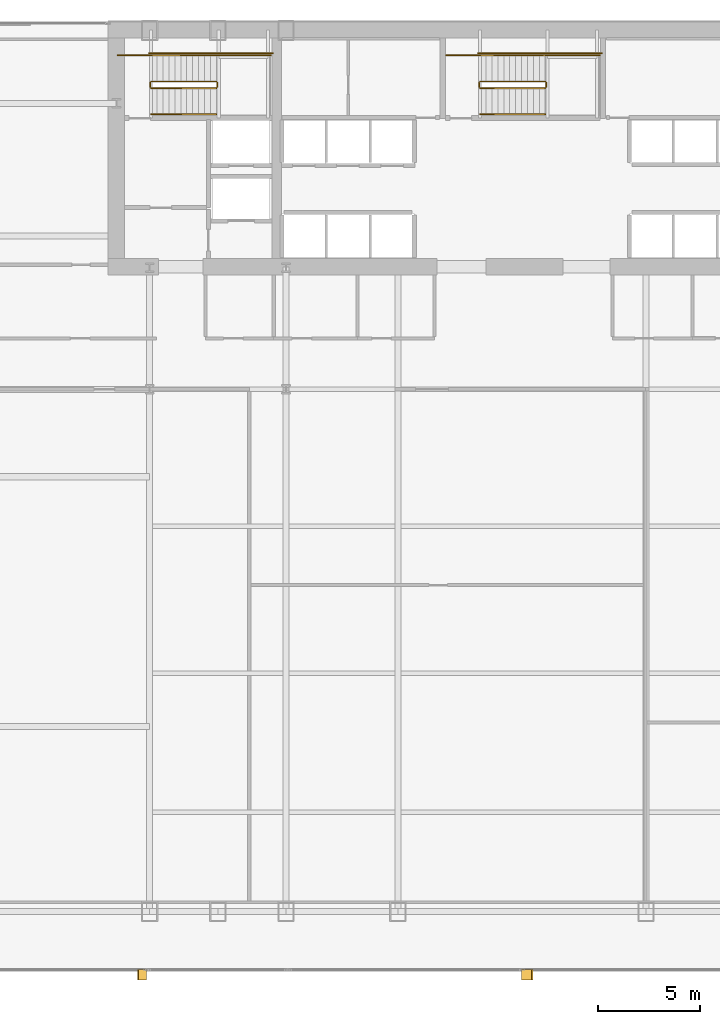
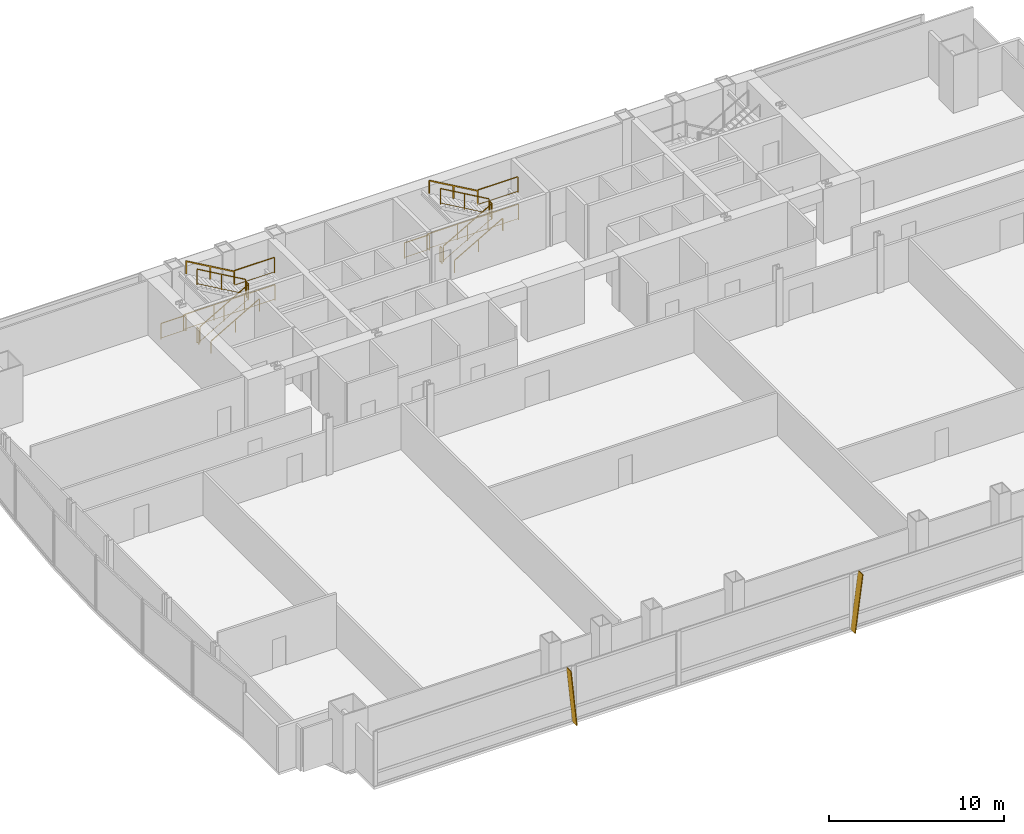
# One storey, part 30 of 32: 18 railings, 2 shading devices.
"""IFC4 building model written with IfcOpenShell, lengths in metres."""

from ifc_helpers import new_model, si_unit, direction, frame, origin, origin_2d, place, context, subcontext, project, spatial, polyline, rectangle, outline, extrude, material, layer, layer_set, type_object, element, save


model = new_model("IFC4")

# Units and contexts
model_context = context("Model", 3, precision=1e-05, world=origin(), true_north=direction((0.0, 1.0)))
body_context = subcontext(model_context, "Body", "Model", "MODEL_VIEW")
ifc_project = project(units=[si_unit("LENGTHUNIT", "METRE"), si_unit("AREAUNIT", "SQUARE_METRE"), si_unit("VOLUMEUNIT", "CUBIC_METRE"), si_unit("PLANEANGLEUNIT", "RADIAN"), si_unit("MASSUNIT", "GRAM", prefix="KILO")], contexts=[model_context])

# Site, building, storey
site_placement = place(None, origin())
site = spatial("IfcSite", under=ifc_project, at=site_placement, CompositionType="ELEMENT")
building_placement = place(site_placement, origin())
building = spatial("IfcBuilding", under=site, at=building_placement, Name="Khoronbel Lancet Exchange", CompositionType="ELEMENT")
storey_placement = place(building_placement, frame((0.0, 0.0, 29.800048828125)))
storey = spatial("IfcBuildingStorey", under=building, at=storey_placement, Name="L06", CompositionType="ELEMENT", Elevation=29.800048828125)

# Railings
ifc_material_1 = material(Name="Painted Steel Balustrade", Category="steel")
railing_type_1 = type_object("IfcRailingType", Name="RL-STG110", PredefinedType="GUARDRAIL", material=ifc_material_1)
railing_1_placement = place(storey_placement, frame((18.300048828125, 50.449951171875, 0.16650390625)))
element("IfcRailing", 1, at=railing_1_placement, inside=storey, type_object=railing_type_1, Name="L06 ST1 stair guard 1", PredefinedType="GUARDRAIL", context=body_context, shape_type="SweptSolid", body=[
    extrude(rectangle(XDim=0.048095703125, YDim=0.048095703125, at=origin_2d()), frame((0.0, 0.0, 1.09619140625), z_axis=(0.86699087805, 0.0, 0.498324008431), x_axis=(0.0, 1.0, 0.0)), (0.0, 0.0, 1.0), 3.679443359375),
    extrude(rectangle(XDim=0.02392578125, YDim=0.02392578125, at=origin_2d()), frame((0.0, 0.0, 0.080078125), z_axis=(0.86699087805, 0.0, 0.498324008431), x_axis=(0.0, 1.0, 0.0)), (0.0, 0.0, 1.0), 3.679443359375),
    extrude(rectangle(XDim=0.0419921875, YDim=0.0419921875, at=origin_2d()), origin(), (0.0, 0.0, 1.0), 1.072021484375),
    extrude(rectangle(XDim=0.0419921875, YDim=0.0419921875, at=origin_2d()), frame((1.594970703125, 0.0, 0.916748046875)), (0.0, 0.0, 1.0), 1.072021484375),
    extrude(rectangle(XDim=0.0419921875, YDim=0.0419921875, at=origin_2d()), frame((3.18994140625, 0.0, 1.83349609375)), (0.0, 0.0, 1.0), 1.072021484375),
])
railing_2_placement = place(storey_placement, frame((21.5400390625, 50.5, 2.0)))
element("IfcRailing", 2, at=railing_2_placement, inside=storey, type_object=railing_type_1, Name="L06 ST1 stair guard 2", PredefinedType="GUARDRAIL", context=body_context, shape_type="SweptSolid", body=[
    extrude(rectangle(XDim=0.048095703125, YDim=0.048095703125, at=origin_2d()), frame((0.0, 0.0, 1.09619140625), z_axis=(0.0, 1.0, 0.0), x_axis=(-1.0, 0.0, 0.0)), (0.0, 0.0, 1.0), 0.219970703125),
    extrude(rectangle(XDim=0.02392578125, YDim=0.02392578125, at=origin_2d()), frame((0.0, 0.0, 0.080078125), z_axis=(0.0, 1.0, 0.0), x_axis=(-1.0, 0.0, 0.0)), (0.0, 0.0, 1.0), 0.219970703125),
    extrude(rectangle(XDim=0.0419921875, YDim=0.0419921875, at=origin_2d()), origin(), (0.0, 0.0, 1.0), 1.072021484375),
    extrude(rectangle(XDim=0.0419921875, YDim=0.0419921875, at=origin_2d()), frame((0.0, 0.219970703125, 0.0)), (0.0, 0.0, 1.0), 1.072021484375),
])
railing_3_placement = place(storey_placement, frame((21.489990234375, 52.050048828125, 2.0)))
element("IfcRailing", 3, at=railing_3_placement, inside=storey, type_object=railing_type_1, Name="L06 ST1 stair guard 3", PredefinedType="GUARDRAIL", context=body_context, shape_type="SweptSolid", body=[
    extrude(rectangle(XDim=0.048095703125, YDim=0.048095703125, at=origin_2d()), frame((0.0, 0.0, 1.09619140625), z_axis=(1.0, 0.0, 0.0), x_axis=(0.0, 1.0, 0.0)), (0.0, 0.0, 1.0), 2.659912109375),
    extrude(rectangle(XDim=0.02392578125, YDim=0.02392578125, at=origin_2d()), frame((0.0, 0.0, 0.080078125), z_axis=(1.0, 0.0, 0.0), x_axis=(0.0, 1.0, 0.0)), (0.0, 0.0, 1.0), 2.659912109375),
    extrude(rectangle(XDim=0.0419921875, YDim=0.0419921875, at=origin_2d()), origin(), (0.0, 0.0, 1.0), 1.072021484375),
    extrude(rectangle(XDim=0.0419921875, YDim=0.0419921875, at=origin_2d()), frame((2.659912109375, 0.0, 0.0)), (0.0, 0.0, 1.0), 1.072021484375),
])
railing_4_placement = place(storey_placement, frame((21.489990234375, 50.77001953125, 2.16650390625)))
element("IfcRailing", 4, at=railing_4_placement, inside=storey, type_object=railing_type_1, Name="L06 ST1 stair guard 4", PredefinedType="GUARDRAIL", context=body_context, shape_type="SweptSolid", body=[
    extrude(rectangle(XDim=0.048095703125, YDim=0.048095703125, at=origin_2d()), frame((0.0, 0.0, 1.09619140625), z_axis=(-0.86699087805, 0.0, 0.498324008431), x_axis=(0.0, -1.0, 0.0)), (0.0, 0.0, 1.0), 3.679443359375),
    extrude(rectangle(XDim=0.02392578125, YDim=0.02392578125, at=origin_2d()), frame((0.0, 0.0, 0.080078125), z_axis=(-0.86699087805, 0.0, 0.498324008431), x_axis=(0.0, -1.0, 0.0)), (0.0, 0.0, 1.0), 3.679443359375),
    extrude(rectangle(XDim=0.0419921875, YDim=0.0419921875, at=origin_2d()), origin(), (0.0, 0.0, 1.0), 1.072021484375),
    extrude(rectangle(XDim=0.0419921875, YDim=0.0419921875, at=origin_2d()), frame((-1.594970703125, 0.0, 0.916748046875)), (0.0, 0.0, 1.0), 1.072021484375),
    extrude(rectangle(XDim=0.0419921875, YDim=0.0419921875, at=origin_2d()), frame((-3.18994140625, 0.0, 1.83349609375)), (0.0, 0.0, 1.0), 1.072021484375),
])
railing_5_placement = place(storey_placement, frame((18.25, 50.5, 0.0)))
element("IfcRailing", 5, at=railing_5_placement, inside=storey, type_object=railing_type_1, Name="L06 ST1 stair guard 5", PredefinedType="GUARDRAIL", context=body_context, shape_type="SweptSolid", body=[
    extrude(rectangle(XDim=0.048095703125, YDim=0.048095703125, at=origin_2d()), frame((0.0, 0.0, 1.09619140625), z_axis=(0.0, 1.0, 0.0), x_axis=(-1.0, 0.0, 0.0)), (0.0, 0.0, 1.0), 0.219970703125),
    extrude(rectangle(XDim=0.02392578125, YDim=0.02392578125, at=origin_2d()), frame((0.0, 0.0, 0.080078125), z_axis=(0.0, 1.0, 0.0), x_axis=(-1.0, 0.0, 0.0)), (0.0, 0.0, 1.0), 0.219970703125),
    extrude(rectangle(XDim=0.0419921875, YDim=0.0419921875, at=origin_2d()), origin(), (0.0, 0.0, 1.0), 1.072021484375),
    extrude(rectangle(XDim=0.0419921875, YDim=0.0419921875, at=origin_2d()), frame((0.0, 0.219970703125, 0.0)), (0.0, 0.0, 1.0), 1.072021484375),
])
railing_6_placement = place(storey_placement, frame((16.64990234375, 52.050048828125, 0.0)))
element("IfcRailing", 6, at=railing_6_placement, inside=storey, type_object=railing_type_1, Name="L06 ST1 stair guard 6", PredefinedType="GUARDRAIL", context=body_context, shape_type="SweptSolid", body=[
    extrude(rectangle(XDim=0.048095703125, YDim=0.048095703125, at=origin_2d()), frame((0.0, 0.0, 1.09619140625), z_axis=(1.0, 0.0, 0.0), x_axis=(0.0, 1.0, 0.0)), (0.0, 0.0, 1.0), 1.650146484375),
    extrude(rectangle(XDim=0.02392578125, YDim=0.02392578125, at=origin_2d()), frame((0.0, 0.0, 0.080078125), z_axis=(1.0, 0.0, 0.0), x_axis=(0.0, 1.0, 0.0)), (0.0, 0.0, 1.0), 1.650146484375),
    extrude(rectangle(XDim=0.0419921875, YDim=0.0419921875, at=origin_2d()), origin(), (0.0, 0.0, 1.0), 1.072021484375),
    extrude(rectangle(XDim=0.0419921875, YDim=0.0419921875, at=origin_2d()), frame((1.650146484375, 0.0, 0.0)), (0.0, 0.0, 1.0), 1.072021484375),
])
railing_7_placement = place(storey_placement, frame((18.199951171875, 52.14990234375, 0.0)))
element("IfcRailing", 7, at=railing_7_placement, inside=storey, type_object=railing_type_1, Name="L06 ST1 stair guard 7", PredefinedType="GUARDRAIL", context=body_context, shape_type="SweptSolid", body=[
    extrude(rectangle(XDim=0.048095703125, YDim=0.048095703125, at=origin_2d()), frame((0.0, 0.0, 1.09619140625), z_axis=(1.0, 0.0, 0.0), x_axis=(0.0, 1.0, 0.0)), (0.0, 0.0, 1.0), 6.050048828125),
    extrude(rectangle(XDim=0.02392578125, YDim=0.02392578125, at=origin_2d()), frame((0.0, 0.0, 0.080078125), z_axis=(1.0, 0.0, 0.0), x_axis=(0.0, 1.0, 0.0)), (0.0, 0.0, 1.0), 6.050048828125),
    extrude(rectangle(XDim=0.0419921875, YDim=0.0419921875, at=origin_2d()), origin(), (0.0, 0.0, 1.0), 1.072021484375),
    extrude(rectangle(XDim=0.0419921875, YDim=0.0419921875, at=origin_2d()), frame((2.0166015625, 0.0, 0.0)), (0.0, 0.0, 1.0), 1.072021484375),
    extrude(rectangle(XDim=0.0419921875, YDim=0.0419921875, at=origin_2d()), frame((4.033447265625, 0.0, 0.0)), (0.0, 0.0, 1.0), 1.072021484375),
    extrude(rectangle(XDim=0.0419921875, YDim=0.0419921875, at=origin_2d()), frame((6.050048828125, 0.0, 0.0)), (0.0, 0.0, 1.0), 1.072021484375),
])
railing_8_placement = place(storey_placement, frame((34.39990234375, 50.449951171875, 0.16650390625)))
element("IfcRailing", 8, at=railing_8_placement, inside=storey, type_object=railing_type_1, Name="L06 ST3 stair guard 1", PredefinedType="GUARDRAIL", context=body_context, shape_type="SweptSolid", body=[
    extrude(rectangle(XDim=0.048095703125, YDim=0.048095703125, at=origin_2d()), frame((0.0, 0.0, 1.09619140625), z_axis=(0.867007354286, 0.0, 0.498295341753), x_axis=(0.0, 1.0, 0.0)), (0.0, 0.0, 1.0), 3.679443359375),
    extrude(rectangle(XDim=0.02392578125, YDim=0.02392578125, at=origin_2d()), frame((0.0, 0.0, 0.080078125), z_axis=(0.867007354286, 0.0, 0.498295341753), x_axis=(0.0, 1.0, 0.0)), (0.0, 0.0, 1.0), 3.679443359375),
    extrude(rectangle(XDim=0.0419921875, YDim=0.0419921875, at=origin_2d()), origin(), (0.0, 0.0, 1.0), 1.072021484375),
    extrude(rectangle(XDim=0.0419921875, YDim=0.0419921875, at=origin_2d()), frame((1.59521484375, 0.0, 0.916748046875)), (0.0, 0.0, 1.0), 1.072021484375),
    extrude(rectangle(XDim=0.0419921875, YDim=0.0419921875, at=origin_2d()), frame((3.190185546875, 0.0, 1.83349609375)), (0.0, 0.0, 1.0), 1.072021484375),
])
railing_9_placement = place(storey_placement, frame((37.639892578125, 50.5, 2.0)))
element("IfcRailing", 9, at=railing_9_placement, inside=storey, type_object=railing_type_1, Name="L06 ST3 stair guard 2", PredefinedType="GUARDRAIL", context=body_context, shape_type="SweptSolid", body=[
    extrude(rectangle(XDim=0.048095703125, YDim=0.048095703125, at=origin_2d()), frame((0.0, 0.0, 1.09619140625), z_axis=(0.0, 1.0, 0.0), x_axis=(-1.0, 0.0, 0.0)), (0.0, 0.0, 1.0), 0.219970703125),
    extrude(rectangle(XDim=0.02392578125, YDim=0.02392578125, at=origin_2d()), frame((0.0, 0.0, 0.080078125), z_axis=(0.0, 1.0, 0.0), x_axis=(-1.0, 0.0, 0.0)), (0.0, 0.0, 1.0), 0.219970703125),
    extrude(rectangle(XDim=0.0419921875, YDim=0.0419921875, at=origin_2d()), origin(), (0.0, 0.0, 1.0), 1.072021484375),
    extrude(rectangle(XDim=0.0419921875, YDim=0.0419921875, at=origin_2d()), frame((0.0, 0.219970703125, 0.0)), (0.0, 0.0, 1.0), 1.072021484375),
])
railing_10_placement = place(storey_placement, frame((37.590087890625, 52.050048828125, 2.0)))
element("IfcRailing", 10, at=railing_10_placement, inside=storey, type_object=railing_type_1, Name="L06 ST3 stair guard 3", PredefinedType="GUARDRAIL", context=body_context, shape_type="SweptSolid", body=[
    extrude(rectangle(XDim=0.048095703125, YDim=0.048095703125, at=origin_2d()), frame((0.0, 0.0, 1.09619140625), z_axis=(1.0, 0.0, 0.0), x_axis=(0.0, 1.0, 0.0)), (0.0, 0.0, 1.0), 2.659912109375),
    extrude(rectangle(XDim=0.02392578125, YDim=0.02392578125, at=origin_2d()), frame((0.0, 0.0, 0.080078125), z_axis=(1.0, 0.0, 0.0), x_axis=(0.0, 1.0, 0.0)), (0.0, 0.0, 1.0), 2.659912109375),
    extrude(rectangle(XDim=0.0419921875, YDim=0.0419921875, at=origin_2d()), origin(), (0.0, 0.0, 1.0), 1.072021484375),
    extrude(rectangle(XDim=0.0419921875, YDim=0.0419921875, at=origin_2d()), frame((2.659912109375, 0.0, 0.0)), (0.0, 0.0, 1.0), 1.072021484375),
])
railing_11_placement = place(storey_placement, frame((37.590087890625, 50.77001953125, 2.16650390625)))
element("IfcRailing", 11, at=railing_11_placement, inside=storey, type_object=railing_type_1, Name="L06 ST3 stair guard 4", PredefinedType="GUARDRAIL", context=body_context, shape_type="SweptSolid", body=[
    extrude(rectangle(XDim=0.048095703125, YDim=0.048095703125, at=origin_2d()), frame((0.0, 0.0, 1.09619140625), z_axis=(-0.867007354286, 0.0, 0.498295341753), x_axis=(0.0, -1.0, 0.0)), (0.0, 0.0, 1.0), 3.679443359375),
    extrude(rectangle(XDim=0.02392578125, YDim=0.02392578125, at=origin_2d()), frame((0.0, 0.0, 0.080078125), z_axis=(-0.867007354286, 0.0, 0.498295341753), x_axis=(0.0, -1.0, 0.0)), (0.0, 0.0, 1.0), 3.679443359375),
    extrude(rectangle(XDim=0.0419921875, YDim=0.0419921875, at=origin_2d()), origin(), (0.0, 0.0, 1.0), 1.072021484375),
    extrude(rectangle(XDim=0.0419921875, YDim=0.0419921875, at=origin_2d()), frame((-1.59521484375, 0.0, 0.916748046875)), (0.0, 0.0, 1.0), 1.072021484375),
    extrude(rectangle(XDim=0.0419921875, YDim=0.0419921875, at=origin_2d()), frame((-3.190185546875, 0.0, 1.83349609375)), (0.0, 0.0, 1.0), 1.072021484375),
])
railing_12_placement = place(storey_placement, frame((34.35009765625, 50.5, 0.0)))
element("IfcRailing", 12, at=railing_12_placement, inside=storey, type_object=railing_type_1, Name="L06 ST3 stair guard 5", PredefinedType="GUARDRAIL", context=body_context, shape_type="SweptSolid", body=[
    extrude(rectangle(XDim=0.048095703125, YDim=0.048095703125, at=origin_2d()), frame((0.0, 0.0, 1.09619140625), z_axis=(0.0, 1.0, 0.0), x_axis=(-1.0, 0.0, 0.0)), (0.0, 0.0, 1.0), 0.219970703125),
    extrude(rectangle(XDim=0.02392578125, YDim=0.02392578125, at=origin_2d()), frame((0.0, 0.0, 0.080078125), z_axis=(0.0, 1.0, 0.0), x_axis=(-1.0, 0.0, 0.0)), (0.0, 0.0, 1.0), 0.219970703125),
    extrude(rectangle(XDim=0.0419921875, YDim=0.0419921875, at=origin_2d()), origin(), (0.0, 0.0, 1.0), 1.072021484375),
    extrude(rectangle(XDim=0.0419921875, YDim=0.0419921875, at=origin_2d()), frame((0.0, 0.219970703125, 0.0)), (0.0, 0.0, 1.0), 1.072021484375),
])
railing_13_placement = place(storey_placement, frame((32.75, 52.050048828125, 0.0)))
element("IfcRailing", 13, at=railing_13_placement, inside=storey, type_object=railing_type_1, Name="L06 ST3 stair guard 6", PredefinedType="GUARDRAIL", context=body_context, shape_type="SweptSolid", body=[
    extrude(rectangle(XDim=0.048095703125, YDim=0.048095703125, at=origin_2d()), frame((0.0, 0.0, 1.09619140625), z_axis=(1.0, 0.0, 0.0), x_axis=(0.0, 1.0, 0.0)), (0.0, 0.0, 1.0), 1.64990234375),
    extrude(rectangle(XDim=0.02392578125, YDim=0.02392578125, at=origin_2d()), frame((0.0, 0.0, 0.080078125), z_axis=(1.0, 0.0, 0.0), x_axis=(0.0, 1.0, 0.0)), (0.0, 0.0, 1.0), 1.64990234375),
    extrude(rectangle(XDim=0.0419921875, YDim=0.0419921875, at=origin_2d()), origin(), (0.0, 0.0, 1.0), 1.072021484375),
    extrude(rectangle(XDim=0.0419921875, YDim=0.0419921875, at=origin_2d()), frame((1.64990234375, 0.0, 0.0)), (0.0, 0.0, 1.0), 1.072021484375),
])
railing_14_placement = place(storey_placement, frame((34.300048828125, 52.14990234375, 0.0)))
element("IfcRailing", 14, at=railing_14_placement, inside=storey, type_object=railing_type_1, Name="L06 ST3 stair guard 7", PredefinedType="GUARDRAIL", context=body_context, shape_type="SweptSolid", body=[
    extrude(rectangle(XDim=0.048095703125, YDim=0.048095703125, at=origin_2d()), frame((0.0, 0.0, 1.09619140625), z_axis=(1.0, 0.0, 0.0), x_axis=(0.0, 1.0, 0.0)), (0.0, 0.0, 1.0), 6.050048828125),
    extrude(rectangle(XDim=0.02392578125, YDim=0.02392578125, at=origin_2d()), frame((0.0, 0.0, 0.080078125), z_axis=(1.0, 0.0, 0.0), x_axis=(0.0, 1.0, 0.0)), (0.0, 0.0, 1.0), 6.050048828125),
    extrude(rectangle(XDim=0.0419921875, YDim=0.0419921875, at=origin_2d()), origin(), (0.0, 0.0, 1.0), 1.072021484375),
    extrude(rectangle(XDim=0.0419921875, YDim=0.0419921875, at=origin_2d()), frame((2.0166015625, 0.0, 0.0)), (0.0, 0.0, 1.0), 1.072021484375),
    extrude(rectangle(XDim=0.0419921875, YDim=0.0419921875, at=origin_2d()), frame((4.033447265625, 0.0, 0.0)), (0.0, 0.0, 1.0), 1.072021484375),
    extrude(rectangle(XDim=0.0419921875, YDim=0.0419921875, at=origin_2d()), frame((6.050048828125, 0.0, 0.0)), (0.0, 0.0, 1.0), 1.072021484375),
])
ifc_material_2 = material(Name="Brushed Stainless Steel 316", Category="steel")
railing_type_2 = type_object("IfcRailingType", Name="RL-STH92", PredefinedType="HANDRAIL", material=ifc_material_2)
railing_15_placement = place(storey_placement, frame((18.300048828125, 49.169921875, 0.16650390625)))
element("IfcRailing", 15, at=railing_15_placement, inside=storey, type_object=railing_type_2, Name="L06 ST1 stair handrail 1", PredefinedType="HANDRAIL", context=body_context, shape_type="SweptSolid", body=[
    extrude(rectangle(XDim=0.048095703125, YDim=0.048095703125, at=origin_2d()), frame((0.0, 0.0, 0.8759765625), z_axis=(0.86699087805, 0.0, 0.498324008431), x_axis=(0.0, 1.0, 0.0)), (0.0, 0.0, 1.0), 3.679443359375),
    extrude(rectangle(XDim=0.0419921875, YDim=0.0419921875, at=origin_2d()), origin(), (0.0, 0.0, 1.0), 0.851806640625),
    extrude(rectangle(XDim=0.0419921875, YDim=0.0419921875, at=origin_2d()), frame((1.594970703125, 0.0, 0.916748046875)), (0.0, 0.0, 1.0), 0.851806640625),
    extrude(rectangle(XDim=0.0419921875, YDim=0.0419921875, at=origin_2d()), frame((3.18994140625, 0.0, 1.83349609375)), (0.0, 0.0, 1.0), 0.851806640625),
])
railing_16_placement = place(storey_placement, frame((21.489990234375, 52.050048828125, 2.16650390625)))
element("IfcRailing", 16, at=railing_16_placement, inside=storey, type_object=railing_type_2, Name="L06 ST1 stair handrail 2", PredefinedType="HANDRAIL", context=body_context, shape_type="SweptSolid", body=[
    extrude(rectangle(XDim=0.048095703125, YDim=0.048095703125, at=origin_2d()), frame((0.0, 0.0, 0.8759765625), z_axis=(-0.86699087805, 0.0, 0.498324008431), x_axis=(0.0, -1.0, 0.0)), (0.0, 0.0, 1.0), 3.679443359375),
    extrude(rectangle(XDim=0.0419921875, YDim=0.0419921875, at=origin_2d()), origin(), (0.0, 0.0, 1.0), 0.851806640625),
    extrude(rectangle(XDim=0.0419921875, YDim=0.0419921875, at=origin_2d()), frame((-1.594970703125, 0.0, 0.916748046875)), (0.0, 0.0, 1.0), 0.851806640625),
    extrude(rectangle(XDim=0.0419921875, YDim=0.0419921875, at=origin_2d()), frame((-3.18994140625, 0.0, 1.83349609375)), (0.0, 0.0, 1.0), 0.851806640625),
])
railing_17_placement = place(storey_placement, frame((34.39990234375, 49.169921875, 0.16650390625)))
element("IfcRailing", 17, at=railing_17_placement, inside=storey, type_object=railing_type_2, Name="L06 ST3 stair handrail 1", PredefinedType="HANDRAIL", context=body_context, shape_type="SweptSolid", body=[
    extrude(rectangle(XDim=0.048095703125, YDim=0.048095703125, at=origin_2d()), frame((0.0, 0.0, 0.8759765625), z_axis=(0.867007354286, 0.0, 0.498295341753), x_axis=(0.0, 1.0, 0.0)), (0.0, 0.0, 1.0), 3.679443359375),
    extrude(rectangle(XDim=0.0419921875, YDim=0.0419921875, at=origin_2d()), origin(), (0.0, 0.0, 1.0), 0.851806640625),
    extrude(rectangle(XDim=0.0419921875, YDim=0.0419921875, at=origin_2d()), frame((1.59521484375, 0.0, 0.916748046875)), (0.0, 0.0, 1.0), 0.851806640625),
    extrude(rectangle(XDim=0.0419921875, YDim=0.0419921875, at=origin_2d()), frame((3.190185546875, 0.0, 1.83349609375)), (0.0, 0.0, 1.0), 0.851806640625),
])
railing_18_placement = place(storey_placement, frame((37.590087890625, 52.050048828125, 2.16650390625)))
element("IfcRailing", 18, at=railing_18_placement, inside=storey, type_object=railing_type_2, Name="L06 ST3 stair handrail 2", PredefinedType="HANDRAIL", context=body_context, shape_type="SweptSolid", body=[
    extrude(rectangle(XDim=0.048095703125, YDim=0.048095703125, at=origin_2d()), frame((0.0, 0.0, 0.8759765625), z_axis=(-0.867007354286, 0.0, 0.498295341753), x_axis=(0.0, -1.0, 0.0)), (0.0, 0.0, 1.0), 3.679443359375),
    extrude(rectangle(XDim=0.0419921875, YDim=0.0419921875, at=origin_2d()), origin(), (0.0, 0.0, 1.0), 0.851806640625),
    extrude(rectangle(XDim=0.0419921875, YDim=0.0419921875, at=origin_2d()), frame((-1.59521484375, 0.0, 0.916748046875)), (0.0, 0.0, 1.0), 0.851806640625),
    extrude(rectangle(XDim=0.0419921875, YDim=0.0419921875, at=origin_2d()), frame((-3.190185546875, 0.0, 1.83349609375)), (0.0, 0.0, 1.0), 0.851806640625),
])

# Shading devices
ifc_material_3 = material(Name="Bronze-Anodised Aluminium 6063-T6", Category="aluminium")
ifc_layer = layer(ifc_material_3, 0.054931640625, Name="Bronze-Anodised Aluminium 6063-T6")
ifc_layer_set = layer_set([ifc_layer], Name="Bronze-Anodised Aluminium 6063-T6")
shading_device_type = type_object("IfcShadingDeviceType", Name="SHD-FIN1", PredefinedType="USERDEFINED", material=ifc_layer_set)
shading_device_1_placement = place(storey_placement, frame((18.072509765625, 7.31005859375, -0.080078125), z_axis=(0.995011517869, 0.0, 0.099760108806), x_axis=(0.0, -1.0, 0.0)))
element("IfcShadingDevice", 19, at=shading_device_1_placement, inside=storey, type_object=shading_device_type, Name="Slanted bronze solar fin CW-L06-SWV-1", ObjectType="FIN", PredefinedType="USERDEFINED", context=body_context, shape_type="SweptSolid", body=[
    extrude(outline(polyline([(0.0, 0.0), (0.52001953125, 0.0), (0.52001953125, -3.959716796875), (0.0, -3.959716796875), (0.0, 0.0)])), origin(), (0.0, 0.0, -1.0), 0.054931640625),
])
shading_device_2_placement = place(storey_placement, frame((36.422607421875, 7.31005859375, -0.080078125), z_axis=(-0.991889216598, 0.0, 0.127105397195), x_axis=(0.0, -1.0, 0.0)))
element("IfcShadingDevice", 20, at=shading_device_2_placement, inside=storey, type_object=shading_device_type, Name="Slanted bronze solar fin CW-L06-SCV-1", ObjectType="FIN", PredefinedType="USERDEFINED", context=body_context, shape_type="SweptSolid", body=[
    extrude(outline(polyline([(0.0, 0.0), (0.52001953125, 0.0), (0.52001953125, 3.97216796875), (0.0, 3.97216796875), (0.0, 0.0)])), origin(), (0.0, 0.0, -1.0), 0.054931640625),
])

save(model, "model.ifc")
